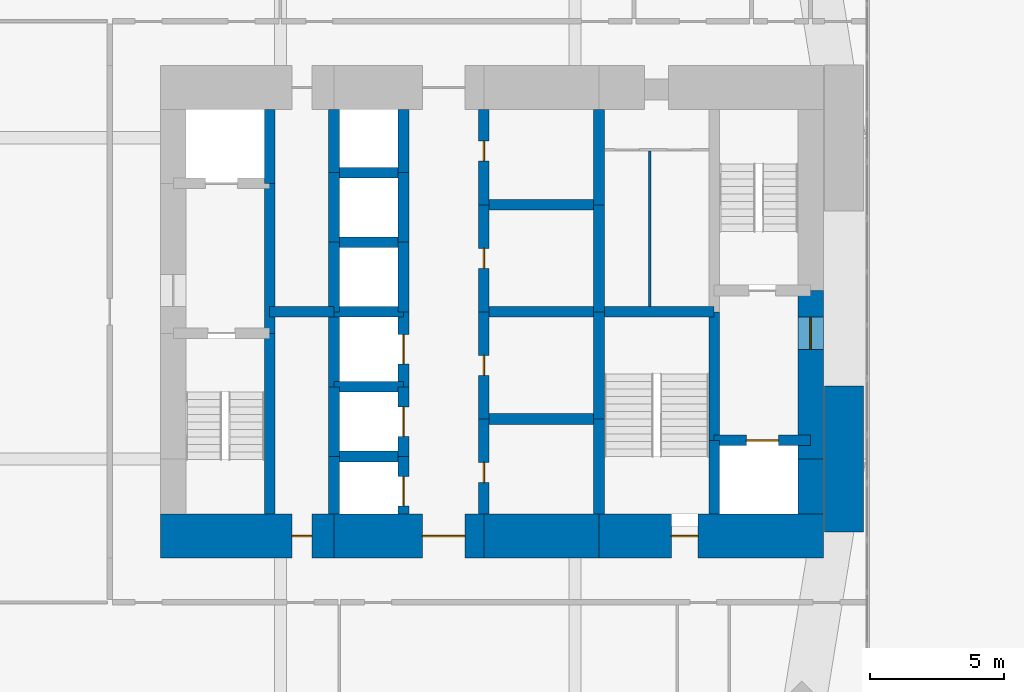
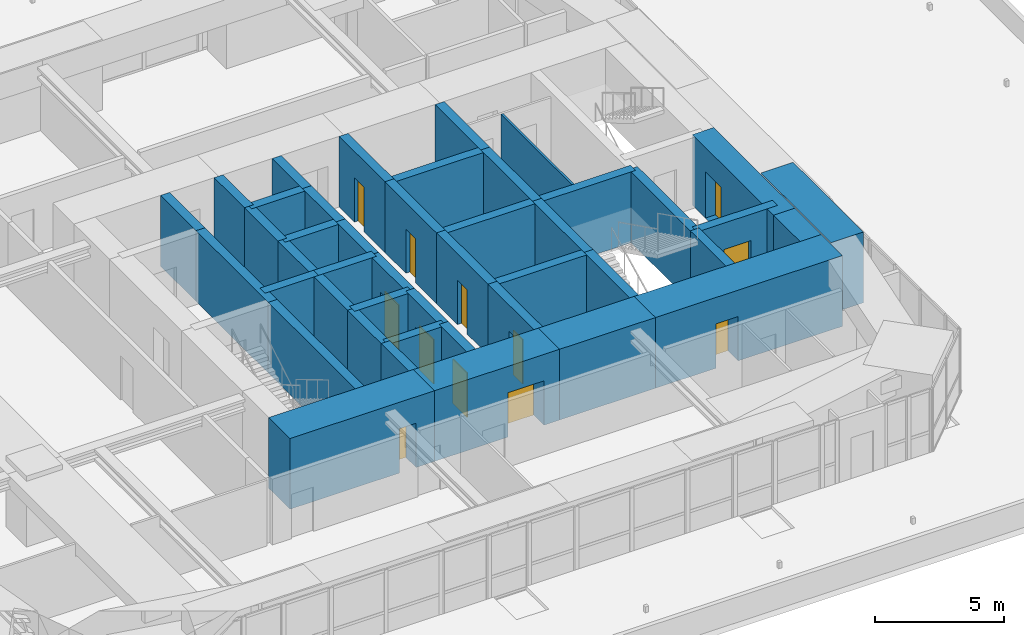
# One storey, part 14 of 20: 44 walls, 12 doors, 12 openings.
"""IFC4 building model written with IfcOpenShell, lengths in metres."""

from ifc_helpers import new_model, si_unit, direction, frame, frame_2d, origin, place, context, subcontext, project, spatial, rectangle, extrude, material, layer, layer_set, constituent, constituent_set, type_object, element, fill, save


model = new_model("IFC4")

# Units and contexts
model_context = context("Model", 3, precision=1e-05, world=origin(), true_north=direction((0.0, 1.0)))
body_context = subcontext(model_context, "Body", "Model", "MODEL_VIEW")
ifc_project = project(units=[si_unit("LENGTHUNIT", "METRE"), si_unit("AREAUNIT", "SQUARE_METRE"), si_unit("VOLUMEUNIT", "CUBIC_METRE"), si_unit("PLANEANGLEUNIT", "RADIAN"), si_unit("MASSUNIT", "GRAM", prefix="KILO")], contexts=[model_context])

# Site, building, storey
site_placement = place(None, origin())
site = spatial("IfcSite", under=ifc_project, at=site_placement, CompositionType="ELEMENT")
building_placement = place(site_placement, origin())
building = spatial("IfcBuilding", under=site, at=building_placement, Name="Jalousie Tower", CompositionType="ELEMENT")
storey_placement = place(building_placement, frame((0.0, 0.0, 21.0)))
storey = spatial("IfcBuildingStorey", under=building, at=storey_placement, Name="L04", CompositionType="ELEMENT", Elevation=21.0)

# Wall, opening, door
ifc_material_1 = material(Name="Concrete f'c 120 MPa", Category="concrete")
ifc_layer_1 = layer(ifc_material_1, 1.64990234375)
ifc_layer_set_1 = layer_set([ifc_layer_1], Name="Concrete f'c 120 MPa")
wall_type_1 = type_object("IfcWallType", Name="CORE WALL 1650", PredefinedType="SHEAR", material=ifc_layer_set_1)
wall_1_placement = place(storey_placement, frame((19.52490234375, 10.125, 0.0), z_axis=(0.0, 0.0, 1.0), x_axis=(1.0, 0.0, 0.0)))
wall_1 = element("IfcWall", 1, at=wall_1_placement, inside=storey, type_object=wall_type_1, Name="Core wall SA L04", PredefinedType="SHEAR", context=body_context, shape_type="SweptSolid", body=[
    extrude(rectangle(XDim=6.47509765625, YDim=1.64990234375, at=frame_2d((3.237548828125, 0.0))), origin(), (0.0, 0.0, 1.0), 3.35009765625),
])
opening_1_placement = place(wall_1_placement, frame((4.89990234375, 0.0, 0.0)))
opening_1 = element("IfcOpeningElement", 2, at=opening_1_placement, cuts=wall_1, Name="Opening D16", PredefinedType="OPENING", context=body_context, shape_type="SweptSolid", body=[
    extrude(rectangle(XDim=0.75, YDim=2.10009765625, at=frame_2d((0.375, 1.050048828125))), frame((0.0, 0.8349609375, 0.0), z_axis=(0.0, -1.0, 0.0), x_axis=(1.0, 0.0, 0.0)), (0.0, 0.0, 1.0), 1.669921875),
])
ifc_material_2 = material(Name="Steel fire door", Category="steel")
door_type_1 = type_object("IfcDoorType", Name="RISER DOOR 750", OperationType="SINGLE_SWING_LEFT", PredefinedType="DOOR", material=ifc_material_2)
door_1_placement = place(opening_1_placement, origin())
door_1 = element("IfcDoor", 3, at=door_1_placement, inside=storey, type_object=door_type_1, Name="South riser door", OperationType="SINGLE_SWING_LEFT", OverallHeight=2.10009765625, OverallWidth=0.75, PredefinedType="DOOR", context=body_context, shape_type="SweptSolid", body=[
    extrude(rectangle(XDim=0.75, YDim=2.10009765625, at=frame_2d((0.375, 1.050048828125))), frame((0.0, 0.02490234375, 0.0), z_axis=(0.0, -1.0, 0.0), x_axis=(1.0, 0.0, 0.0)), (0.0, 0.0, 1.0), 0.050048828125),
])
fill(opening_1, door_1)

wall_2_placement = place(storey_placement, frame((26.0, 10.125, 0.0), z_axis=(0.0, 0.0, 1.0), x_axis=(1.0, 0.0, 0.0)))
wall_2 = element("IfcWall", 4, at=wall_2_placement, inside=storey, type_object=wall_type_1, Name="Core wall SB L04", PredefinedType="SHEAR", context=body_context, shape_type="SweptSolid", body=[
    extrude(rectangle(XDim=5.60009765625, YDim=1.64990234375, at=frame_2d((2.800048828125, 0.0))), origin(), (0.0, 0.0, 1.0), 3.35009765625),
])
opening_2_placement = place(wall_2_placement, frame((3.300048828125, 0.0, 0.0)))
opening_2 = element("IfcOpeningElement", 5, at=opening_2_placement, cuts=wall_2, Name="Opening D15", PredefinedType="OPENING", context=body_context, shape_type="SweptSolid", body=[
    extrude(rectangle(XDim=1.60009765625, YDim=2.10009765625, at=frame_2d((0.800048828125, 1.050048828125))), frame((0.0, 0.8349609375, 0.0), z_axis=(0.0, -1.0, 0.0), x_axis=(1.0, 0.0, 0.0)), (0.0, 0.0, 1.0), 1.669921875),
])
ifc_material_3 = material(Name="Steel fire door", Category="steel")
door_type_2 = type_object("IfcDoorType", Name="LIFT LOBBY DOOR 1600", OperationType="DOUBLE_DOOR_SINGLE_SWING", PredefinedType="DOOR", material=ifc_material_3)
door_2_placement = place(opening_2_placement, origin())
door_2 = element("IfcDoor", 6, at=door_2_placement, inside=storey, type_object=door_type_2, Name="Lift lobby south door", OperationType="DOUBLE_DOOR_SINGLE_SWING", OverallHeight=2.10009765625, OverallWidth=1.60009765625, PredefinedType="DOOR", context=body_context, shape_type="SweptSolid", body=[
    extrude(rectangle(XDim=1.60009765625, YDim=2.10009765625, at=frame_2d((0.800048828125, 1.050048828125))), frame((0.0, 0.02490234375, 0.0), z_axis=(0.0, -1.0, 0.0), x_axis=(1.0, 0.0, 0.0)), (0.0, 0.0, 1.0), 0.050048828125),
])
fill(opening_2, door_2)

# Wall
wall_3_placement = place(storey_placement, frame((31.60009765625, 10.125, 0.0), z_axis=(0.0, 0.0, 1.0), x_axis=(1.0, 0.0, 0.0)))
element("IfcWall", 7, at=wall_3_placement, inside=storey, type_object=wall_type_1, Name="Core wall SC L04", PredefinedType="SHEAR", context=body_context, shape_type="SweptSolid", body=[
    extrude(rectangle(XDim=4.2998046875, YDim=1.64990234375, at=frame_2d((2.14990234375, 0.0))), origin(), (0.0, 0.0, 1.0), 3.35009765625),
])

# Wall, opening, door
wall_4_placement = place(storey_placement, frame((35.89990234375, 10.125, 0.0), z_axis=(0.0, 0.0, 1.0), x_axis=(1.0, 0.0, 0.0)))
wall_4 = element("IfcWall", 8, at=wall_4_placement, inside=storey, type_object=wall_type_1, Name="Core wall SD L04", PredefinedType="SHEAR", context=body_context, shape_type="SweptSolid", body=[
    extrude(rectangle(XDim=8.375, YDim=1.64990234375, at=frame_2d((4.1875, 0.0))), origin(), (0.0, 0.0, 1.0), 3.35009765625),
])
opening_3_placement = place(wall_4_placement, frame((2.699951171875, 0.0, 0.0)))
opening_3 = element("IfcOpeningElement", 9, at=opening_3_placement, cuts=wall_4, Name="Opening D10", PredefinedType="OPENING", context=body_context, shape_type="SweptSolid", body=[
    extrude(rectangle(XDim=1.0, YDim=2.10009765625, at=frame_2d((0.5, 1.050048828125))), frame((0.0, 0.8349609375, 0.0), z_axis=(0.0, -1.0, 0.0), x_axis=(1.0, 0.0, 0.0)), (0.0, 0.0, 1.0), 1.669921875),
])
ifc_material_4 = material(Name="Steel fire door", Category="steel")
door_type_3 = type_object("IfcDoorType", Name="STAIR DOOR 1000", OperationType="SINGLE_SWING_LEFT", PredefinedType="DOOR", material=ifc_material_4)
door_3_placement = place(opening_3_placement, origin())
door_3 = element("IfcDoor", 10, at=door_3_placement, inside=storey, type_object=door_type_3, Name="Exit stair C door", OperationType="SINGLE_SWING_RIGHT", OverallHeight=2.10009765625, OverallWidth=1.0, PredefinedType="DOOR", context=body_context, shape_type="SweptSolid", body=[
    extrude(rectangle(XDim=1.0, YDim=2.10009765625, at=frame_2d((0.5, 1.050048828125))), frame((0.0, 0.02490234375, 0.0), z_axis=(0.0, -1.0, 0.0), x_axis=(1.0, 0.0, 0.0)), (0.0, 0.0, 1.0), 0.050048828125),
])
fill(opening_3, door_3)

# Walls
ifc_material_5 = material(Name="Concrete f'c 120 MPa", Category="concrete")
ifc_layer_2 = layer(ifc_material_5, 0.39990234375)
ifc_layer_set_2 = layer_set([ifc_layer_2], Name="Concrete f'c 120 MPa")
wall_type_2 = type_object("IfcWallType", Name="CORE WALL 400", PredefinedType="SHEAR", material=ifc_layer_set_2)
wall_5_placement = place(storey_placement, frame((23.60009765625, 10.949951171875, 0.0), z_axis=(0.0, 0.0, 1.0), x_axis=(0.0, 1.0, 0.0)))
element("IfcWall", 11, at=wall_5_placement, inside=storey, type_object=wall_type_2, Name="Core wall X23.6A L04", PredefinedType="SHEAR", context=body_context, shape_type="SweptSolid", body=[
    extrude(rectangle(XDim=6.75, YDim=0.39990234375, at=frame_2d((3.375, 0.0))), origin(), (0.0, 0.0, 1.0), 3.35009765625),
])
wall_6_placement = place(storey_placement, frame((23.60009765625, 17.699951171875, 0.0), z_axis=(0.0, 0.0, 1.0), x_axis=(0.0, 1.0, 0.0)))
element("IfcWall", 12, at=wall_6_placement, inside=storey, type_object=wall_type_2, Name="Core wall X23.6B L04", PredefinedType="SHEAR", context=body_context, shape_type="SweptSolid", body=[
    extrude(rectangle(XDim=5.60009765625, YDim=0.39990234375, at=frame_2d((2.800048828125, 0.0))), origin(), (0.0, 0.0, 1.0), 3.35009765625),
])
wall_7_placement = place(storey_placement, frame((23.60009765625, 23.300048828125, 0.0), z_axis=(0.0, 0.0, 1.0), x_axis=(0.0, 1.0, 0.0)))
element("IfcWall", 13, at=wall_7_placement, inside=storey, type_object=wall_type_2, Name="Core wall X23.6C L04", PredefinedType="SHEAR", context=body_context, shape_type="SweptSolid", body=[
    extrude(rectangle(XDim=2.75, YDim=0.39990234375, at=frame_2d((1.375, 0.0))), origin(), (0.0, 0.0, 1.0), 3.35009765625),
])
wall_8_placement = place(storey_placement, frame((26.0, 10.949951171875, 0.0), z_axis=(0.0, 0.0, 1.0), x_axis=(0.0, 1.0, 0.0)))
element("IfcWall", 14, at=wall_8_placement, inside=storey, type_object=wall_type_2, Name="Core wall X26A L04", PredefinedType="SHEAR", context=body_context, shape_type="SweptSolid", body=[
    extrude(rectangle(XDim=2.150146484375, YDim=0.39990234375, at=frame_2d((1.0751953125, 0.0))), origin(), (0.0, 0.0, 1.0), 3.35009765625),
])
wall_9_placement = place(storey_placement, frame((26.0, 13.10009765625, 0.0), z_axis=(0.0, 0.0, 1.0), x_axis=(0.0, 1.0, 0.0)))
element("IfcWall", 15, at=wall_9_placement, inside=storey, type_object=wall_type_2, Name="Core wall X26B L04", PredefinedType="SHEAR", context=body_context, shape_type="SweptSolid", body=[
    extrude(rectangle(XDim=2.599853515625, YDim=0.39990234375, at=frame_2d((1.2998046875, 0.0))), origin(), (0.0, 0.0, 1.0), 3.35009765625),
])
wall_10_placement = place(storey_placement, frame((26.0, 15.699951171875, 0.0), z_axis=(0.0, 0.0, 1.0), x_axis=(0.0, 1.0, 0.0)))
element("IfcWall", 16, at=wall_10_placement, inside=storey, type_object=wall_type_2, Name="Core wall X26C L04", PredefinedType="SHEAR", context=body_context, shape_type="SweptSolid", body=[
    extrude(rectangle(XDim=2.800048828125, YDim=0.39990234375, at=frame_2d((1.39990234375, 0.0))), origin(), (0.0, 0.0, 1.0), 3.35009765625),
])
wall_11_placement = place(storey_placement, frame((26.0, 18.5, 0.0), z_axis=(0.0, 0.0, 1.0), x_axis=(0.0, 1.0, 0.0)))
element("IfcWall", 17, at=wall_11_placement, inside=storey, type_object=wall_type_2, Name="Core wall X26D L04", PredefinedType="SHEAR", context=body_context, shape_type="SweptSolid", body=[
    extrude(rectangle(XDim=2.60009765625, YDim=0.39990234375, at=frame_2d((1.300048828125, 0.0))), origin(), (0.0, 0.0, 1.0), 3.35009765625),
])
wall_12_placement = place(storey_placement, frame((26.0, 21.10009765625, 0.0), z_axis=(0.0, 0.0, 1.0), x_axis=(0.0, 1.0, 0.0)))
element("IfcWall", 18, at=wall_12_placement, inside=storey, type_object=wall_type_2, Name="Core wall X26E L04", PredefinedType="SHEAR", context=body_context, shape_type="SweptSolid", body=[
    extrude(rectangle(XDim=2.599853515625, YDim=0.39990234375, at=frame_2d((1.2998046875, 0.0))), origin(), (0.0, 0.0, 1.0), 3.35009765625),
])
wall_13_placement = place(storey_placement, frame((26.0, 23.699951171875, 0.0), z_axis=(0.0, 0.0, 1.0), x_axis=(0.0, 1.0, 0.0)))
element("IfcWall", 19, at=wall_13_placement, inside=storey, type_object=wall_type_2, Name="Core wall X26F L04", PredefinedType="SHEAR", context=body_context, shape_type="SweptSolid", body=[
    extrude(rectangle(XDim=2.35009765625, YDim=0.39990234375, at=frame_2d((1.175048828125, 0.0))), origin(), (0.0, 0.0, 1.0), 3.35009765625),
])

# Wall, opening, door
wall_14_placement = place(storey_placement, frame((28.60009765625, 10.949951171875, 0.0), z_axis=(0.0, 0.0, 1.0), x_axis=(0.0, 1.0, 0.0)))
wall_14 = element("IfcWall", 20, at=wall_14_placement, inside=storey, type_object=wall_type_2, Name="Core wall X28.6A L04", PredefinedType="SHEAR", context=body_context, shape_type="SweptSolid", body=[
    extrude(rectangle(XDim=2.150146484375, YDim=0.39990234375, at=frame_2d((1.0751953125, 0.0))), origin(), (0.0, 0.0, 1.0), 3.35009765625),
])
opening_4_placement = place(wall_14_placement, frame((0.300048828125, 0.0, 0.0)))
opening_4 = element("IfcOpeningElement", 21, at=opening_4_placement, cuts=wall_14, Name="Opening LD1", PredefinedType="OPENING", context=body_context, shape_type="SweptSolid", body=[
    extrude(rectangle(XDim=1.10009765625, YDim=2.10009765625, at=frame_2d((0.550048828125, 1.050048828125))), frame((0.0, 0.2099609375, 0.0), z_axis=(0.0, -1.0, 0.0), x_axis=(1.0, 0.0, 0.0)), (0.0, 0.0, 1.0), 0.419921875),
])
ifc_material_6 = material(Name="Steel lift landing door", Category="steel")
door_type_4 = type_object("IfcDoorType", Name="LIFT LANDING DOOR 1100", OperationType="SLIDING_TO_LEFT", PredefinedType="DOOR", material=ifc_material_6)
door_4_placement = place(opening_4_placement, origin())
door_4 = element("IfcDoor", 22, at=door_4_placement, inside=storey, type_object=door_type_4, Name="Lift P1 landing door", OperationType="SLIDING_TO_LEFT", OverallHeight=2.10009765625, OverallWidth=1.10009765625, PredefinedType="DOOR", context=body_context, shape_type="SweptSolid", body=[
    extrude(rectangle(XDim=1.10009765625, YDim=2.10009765625, at=frame_2d((0.550048828125, 1.050048828125))), frame((0.0, 0.02490234375, 0.0), z_axis=(0.0, -1.0, 0.0), x_axis=(1.0, 0.0, 0.0)), (0.0, 0.0, 1.0), 0.050048828125),
])
fill(opening_4, door_4)

wall_15_placement = place(storey_placement, frame((28.60009765625, 13.10009765625, 0.0), z_axis=(0.0, 0.0, 1.0), x_axis=(0.0, 1.0, 0.0)))
wall_15 = element("IfcWall", 23, at=wall_15_placement, inside=storey, type_object=wall_type_2, Name="Core wall X28.6B L04", PredefinedType="SHEAR", context=body_context, shape_type="SweptSolid", body=[
    extrude(rectangle(XDim=2.599853515625, YDim=0.39990234375, at=frame_2d((1.2998046875, 0.0))), origin(), (0.0, 0.0, 1.0), 3.35009765625),
])
opening_5_placement = place(wall_15_placement, frame((0.75, 0.0, 0.0)))
opening_5 = element("IfcOpeningElement", 24, at=opening_5_placement, cuts=wall_15, Name="Opening LD1", PredefinedType="OPENING", context=body_context, shape_type="SweptSolid", body=[
    extrude(rectangle(XDim=1.10009765625, YDim=2.10009765625, at=frame_2d((0.550048828125, 1.050048828125))), frame((0.0, 0.2099609375, 0.0), z_axis=(0.0, -1.0, 0.0), x_axis=(1.0, 0.0, 0.0)), (0.0, 0.0, 1.0), 0.419921875),
])
door_5_placement = place(opening_5_placement, origin())
door_5 = element("IfcDoor", 25, at=door_5_placement, inside=storey, type_object=door_type_4, Name="Lift P2 landing door", OperationType="SLIDING_TO_LEFT", OverallHeight=2.10009765625, OverallWidth=1.10009765625, PredefinedType="DOOR", context=body_context, shape_type="SweptSolid", body=[
    extrude(rectangle(XDim=1.10009765625, YDim=2.10009765625, at=frame_2d((0.550048828125, 1.050048828125))), frame((0.0, 0.02490234375, 0.0), z_axis=(0.0, -1.0, 0.0), x_axis=(1.0, 0.0, 0.0)), (0.0, 0.0, 1.0), 0.050048828125),
])
fill(opening_5, door_5)

wall_16_placement = place(storey_placement, frame((28.60009765625, 15.699951171875, 0.0), z_axis=(0.0, 0.0, 1.0), x_axis=(0.0, 1.0, 0.0)))
wall_16 = element("IfcWall", 26, at=wall_16_placement, inside=storey, type_object=wall_type_2, Name="Core wall X28.6C L04", PredefinedType="SHEAR", context=body_context, shape_type="SweptSolid", body=[
    extrude(rectangle(XDim=2.800048828125, YDim=0.39990234375, at=frame_2d((1.39990234375, 0.0))), origin(), (0.0, 0.0, 1.0), 3.35009765625),
])
opening_6_placement = place(wall_16_placement, frame((0.85009765625, 0.0, 0.0)))
opening_6 = element("IfcOpeningElement", 27, at=opening_6_placement, cuts=wall_16, Name="Opening LD1", PredefinedType="OPENING", context=body_context, shape_type="SweptSolid", body=[
    extrude(rectangle(XDim=1.10009765625, YDim=2.10009765625, at=frame_2d((0.550048828125, 1.050048828125))), frame((0.0, 0.2099609375, 0.0), z_axis=(0.0, -1.0, 0.0), x_axis=(1.0, 0.0, 0.0)), (0.0, 0.0, 1.0), 0.419921875),
])
door_6_placement = place(opening_6_placement, origin())
door_6 = element("IfcDoor", 28, at=door_6_placement, inside=storey, type_object=door_type_4, Name="Lift P3 landing door", OperationType="SLIDING_TO_LEFT", OverallHeight=2.10009765625, OverallWidth=1.10009765625, PredefinedType="DOOR", context=body_context, shape_type="SweptSolid", body=[
    extrude(rectangle(XDim=1.10009765625, YDim=2.10009765625, at=frame_2d((0.550048828125, 1.050048828125))), frame((0.0, 0.02490234375, 0.0), z_axis=(0.0, -1.0, 0.0), x_axis=(1.0, 0.0, 0.0)), (0.0, 0.0, 1.0), 0.050048828125),
])
fill(opening_6, door_6)

# Walls
wall_17_placement = place(storey_placement, frame((28.60009765625, 18.5, 0.0), z_axis=(0.0, 0.0, 1.0), x_axis=(0.0, 1.0, 0.0)))
element("IfcWall", 29, at=wall_17_placement, inside=storey, type_object=wall_type_2, Name="Core wall X28.6D L04", PredefinedType="SHEAR", context=body_context, shape_type="SweptSolid", body=[
    extrude(rectangle(XDim=2.60009765625, YDim=0.39990234375, at=frame_2d((1.300048828125, 0.0))), origin(), (0.0, 0.0, 1.0), 3.35009765625),
])
wall_18_placement = place(storey_placement, frame((28.60009765625, 21.10009765625, 0.0), z_axis=(0.0, 0.0, 1.0), x_axis=(0.0, 1.0, 0.0)))
element("IfcWall", 30, at=wall_18_placement, inside=storey, type_object=wall_type_2, Name="Core wall X28.6E L04", PredefinedType="SHEAR", context=body_context, shape_type="SweptSolid", body=[
    extrude(rectangle(XDim=2.599853515625, YDim=0.39990234375, at=frame_2d((1.2998046875, 0.0))), origin(), (0.0, 0.0, 1.0), 3.35009765625),
])
wall_19_placement = place(storey_placement, frame((28.60009765625, 23.699951171875, 0.0), z_axis=(0.0, 0.0, 1.0), x_axis=(0.0, 1.0, 0.0)))
element("IfcWall", 31, at=wall_19_placement, inside=storey, type_object=wall_type_2, Name="Core wall X28.6F L04", PredefinedType="SHEAR", context=body_context, shape_type="SweptSolid", body=[
    extrude(rectangle(XDim=2.35009765625, YDim=0.39990234375, at=frame_2d((1.175048828125, 0.0))), origin(), (0.0, 0.0, 1.0), 3.35009765625),
])

# Wall, opening, door
wall_20_placement = place(storey_placement, frame((31.60009765625, 10.949951171875, 0.0), z_axis=(0.0, 0.0, 1.0), x_axis=(0.0, 1.0, 0.0)))
wall_20 = element("IfcWall", 32, at=wall_20_placement, inside=storey, type_object=wall_type_2, Name="Core wall X31.6A L04", PredefinedType="SHEAR", context=body_context, shape_type="SweptSolid", body=[
    extrude(rectangle(XDim=3.550048828125, YDim=0.39990234375, at=frame_2d((1.77490234375, 0.0))), origin(), (0.0, 0.0, 1.0), 3.35009765625),
])
opening_7_placement = place(wall_20_placement, frame((1.175048828125, 0.0, 0.0)))
opening_7 = element("IfcOpeningElement", 33, at=opening_7_placement, cuts=wall_20, Name="Opening D16", PredefinedType="OPENING", context=body_context, shape_type="SweptSolid", body=[
    extrude(rectangle(XDim=0.75, YDim=2.10009765625, at=frame_2d((0.375, 1.050048828125))), frame((0.0, 0.2099609375, 0.0), z_axis=(0.0, -1.0, 0.0), x_axis=(1.0, 0.0, 0.0)), (0.0, 0.0, 1.0), 0.419921875),
])
door_7_placement = place(opening_7_placement, frame((0.75, 0.0, 0.0), z_axis=(0.0, 0.0, 1.0), x_axis=(-1.0, 0.0, 0.0)))
door_7 = element("IfcDoor", 34, at=door_7_placement, inside=storey, type_object=door_type_1, Name="Refuse Room door", OperationType="SINGLE_SWING_RIGHT", OverallHeight=2.10009765625, OverallWidth=0.75, PredefinedType="DOOR", context=body_context, shape_type="SweptSolid", body=[
    extrude(rectangle(XDim=0.75, YDim=2.10009765625, at=frame_2d((0.375, 1.050048828125))), frame((0.0, 0.02490234375, 0.0), z_axis=(0.0, -1.0, 0.0), x_axis=(1.0, 0.0, 0.0)), (0.0, 0.0, 1.0), 0.050048828125),
])
fill(opening_7, door_7)

wall_21_placement = place(storey_placement, frame((31.60009765625, 14.5, 0.0), z_axis=(0.0, 0.0, 1.0), x_axis=(0.0, 1.0, 0.0)))
wall_21 = element("IfcWall", 35, at=wall_21_placement, inside=storey, type_object=wall_type_2, Name="Core wall X31.6B L04", PredefinedType="SHEAR", context=body_context, shape_type="SweptSolid", body=[
    extrude(rectangle(XDim=4.0, YDim=0.39990234375, at=frame_2d((2.0, 0.0))), origin(), (0.0, 0.0, 1.0), 3.35009765625),
])
opening_8_placement = place(wall_21_placement, frame((1.625, 0.0, 0.0)))
opening_8 = element("IfcOpeningElement", 36, at=opening_8_placement, cuts=wall_21, Name="Opening D16", PredefinedType="OPENING", context=body_context, shape_type="SweptSolid", body=[
    extrude(rectangle(XDim=0.75, YDim=2.10009765625, at=frame_2d((0.375, 1.050048828125))), frame((0.0, 0.2099609375, 0.0), z_axis=(0.0, -1.0, 0.0), x_axis=(1.0, 0.0, 0.0)), (0.0, 0.0, 1.0), 0.419921875),
])
door_8_placement = place(opening_8_placement, frame((0.75, 0.0, 0.0), z_axis=(0.0, 0.0, 1.0), x_axis=(-1.0, 0.0, 0.0)))
door_8 = element("IfcDoor", 37, at=door_8_placement, inside=storey, type_object=door_type_1, Name="Electrical Room door", OperationType="SINGLE_SWING_LEFT", OverallHeight=2.10009765625, OverallWidth=0.75, PredefinedType="DOOR", context=body_context, shape_type="SweptSolid", body=[
    extrude(rectangle(XDim=0.75, YDim=2.10009765625, at=frame_2d((0.375, 1.050048828125))), frame((0.0, 0.02490234375, 0.0), z_axis=(0.0, -1.0, 0.0), x_axis=(1.0, 0.0, 0.0)), (0.0, 0.0, 1.0), 0.050048828125),
])
fill(opening_8, door_8)

wall_22_placement = place(storey_placement, frame((31.60009765625, 18.5, 0.0), z_axis=(0.0, 0.0, 1.0), x_axis=(0.0, 1.0, 0.0)))
wall_22 = element("IfcWall", 38, at=wall_22_placement, inside=storey, type_object=wall_type_2, Name="Core wall X31.6C L04", PredefinedType="SHEAR", context=body_context, shape_type="SweptSolid", body=[
    extrude(rectangle(XDim=4.0, YDim=0.39990234375, at=frame_2d((2.0, 0.0))), origin(), (0.0, 0.0, 1.0), 3.35009765625),
])
opening_9_placement = place(wall_22_placement, frame((1.625, 0.0, 0.0)))
opening_9 = element("IfcOpeningElement", 39, at=opening_9_placement, cuts=wall_22, Name="Opening D16", PredefinedType="OPENING", context=body_context, shape_type="SweptSolid", body=[
    extrude(rectangle(XDim=0.75, YDim=2.10009765625, at=frame_2d((0.375, 1.050048828125))), frame((0.0, 0.2099609375, 0.0), z_axis=(0.0, -1.0, 0.0), x_axis=(1.0, 0.0, 0.0)), (0.0, 0.0, 1.0), 0.419921875),
])
door_9_placement = place(opening_9_placement, frame((0.75, 0.0, 0.0), z_axis=(0.0, 0.0, 1.0), x_axis=(-1.0, 0.0, 0.0)))
door_9 = element("IfcDoor", 40, at=door_9_placement, inside=storey, type_object=door_type_1, Name="Telecom Room door", OperationType="SINGLE_SWING_LEFT", OverallHeight=2.10009765625, OverallWidth=0.75, PredefinedType="DOOR", context=body_context, shape_type="SweptSolid", body=[
    extrude(rectangle(XDim=0.75, YDim=2.10009765625, at=frame_2d((0.375, 1.050048828125))), frame((0.0, 0.02490234375, 0.0), z_axis=(0.0, -1.0, 0.0), x_axis=(1.0, 0.0, 0.0)), (0.0, 0.0, 1.0), 0.050048828125),
])
fill(opening_9, door_9)

wall_23_placement = place(storey_placement, frame((31.60009765625, 22.5, 0.0), z_axis=(0.0, 0.0, 1.0), x_axis=(0.0, 1.0, 0.0)))
wall_23 = element("IfcWall", 41, at=wall_23_placement, inside=storey, type_object=wall_type_2, Name="Core wall X31.6D L04", PredefinedType="SHEAR", context=body_context, shape_type="SweptSolid", body=[
    extrude(rectangle(XDim=3.550048828125, YDim=0.39990234375, at=frame_2d((1.77490234375, 0.0))), origin(), (0.0, 0.0, 1.0), 3.35009765625),
])
opening_10_placement = place(wall_23_placement, frame((1.625, 0.0, 0.0)))
opening_10 = element("IfcOpeningElement", 42, at=opening_10_placement, cuts=wall_23, Name="Opening D16", PredefinedType="OPENING", context=body_context, shape_type="SweptSolid", body=[
    extrude(rectangle(XDim=0.75, YDim=2.10009765625, at=frame_2d((0.375, 1.050048828125))), frame((0.0, 0.2099609375, 0.0), z_axis=(0.0, -1.0, 0.0), x_axis=(1.0, 0.0, 0.0)), (0.0, 0.0, 1.0), 0.419921875),
])
door_10_placement = place(opening_10_placement, frame((0.75, 0.0, 0.0), z_axis=(0.0, 0.0, 1.0), x_axis=(-1.0, 0.0, 0.0)))
door_10 = element("IfcDoor", 43, at=door_10_placement, inside=storey, type_object=door_type_1, Name="Water Services Room door", OperationType="SINGLE_SWING_LEFT", OverallHeight=2.10009765625, OverallWidth=0.75, PredefinedType="DOOR", context=body_context, shape_type="SweptSolid", body=[
    extrude(rectangle(XDim=0.75, YDim=2.10009765625, at=frame_2d((0.375, 1.050048828125))), frame((0.0, 0.02490234375, 0.0), z_axis=(0.0, -1.0, 0.0), x_axis=(1.0, 0.0, 0.0)), (0.0, 0.0, 1.0), 0.050048828125),
])
fill(opening_10, door_10)

# Walls
wall_24_placement = place(storey_placement, frame((35.89990234375, 10.949951171875, 0.0), z_axis=(0.0, 0.0, 1.0), x_axis=(0.0, 1.0, 0.0)))
element("IfcWall", 44, at=wall_24_placement, inside=storey, type_object=wall_type_2, Name="Core wall X35.9A L04", PredefinedType="SHEAR", context=body_context, shape_type="SweptSolid", body=[
    extrude(rectangle(XDim=3.550048828125, YDim=0.39990234375, at=frame_2d((1.77490234375, 0.0))), origin(), (0.0, 0.0, 1.0), 3.35009765625),
])
for number, where, z_axis, x_axis, name in (
    (45, (35.89990234375, 14.5, 0.0), (0.0, 0.0, 1.0), (0.0, 1.0, 0.0), "Core wall X35.9B L04"),
    (46, (35.89990234375, 18.5, 0.0), (0.0, 0.0, 1.0), (0.0, 1.0, 0.0), "Core wall X35.9C L04"),
):
    element("IfcWall", number, at=place(storey_placement, frame(where, z_axis=z_axis, x_axis=x_axis)), inside=storey, type_object=wall_type_2, Name=name, PredefinedType="SHEAR", context=body_context, shape_type="SweptSolid", body=[
        extrude(rectangle(XDim=4.0, YDim=0.39990234375, at=frame_2d((2.0, 0.0))), origin(), (0.0, 0.0, 1.0), 3.35009765625),
    ])
wall_25_placement = place(storey_placement, frame((35.89990234375, 22.5, 0.0), z_axis=(0.0, 0.0, 1.0), x_axis=(0.0, 1.0, 0.0)))
element("IfcWall", 47, at=wall_25_placement, inside=storey, type_object=wall_type_2, Name="Core wall X35.9D L04", PredefinedType="SHEAR", context=body_context, shape_type="SweptSolid", body=[
    extrude(rectangle(XDim=3.550048828125, YDim=0.39990234375, at=frame_2d((1.77490234375, 0.0))), origin(), (0.0, 0.0, 1.0), 3.35009765625),
])
wall_26_placement = place(storey_placement, frame((40.199951171875, 10.949951171875, 0.0), z_axis=(0.0, 0.0, 1.0), x_axis=(0.0, 1.0, 0.0)))
element("IfcWall", 48, at=wall_26_placement, inside=storey, type_object=wall_type_2, Name="Core wall X40.2A L04", PredefinedType="SHEAR", context=body_context, shape_type="SweptSolid", body=[
    extrude(rectangle(XDim=2.75, YDim=0.39990234375, at=frame_2d((1.375, 0.0))), origin(), (0.0, 0.0, 1.0), 3.35009765625),
])
wall_27_placement = place(storey_placement, frame((40.199951171875, 13.699951171875, 0.0), z_axis=(0.0, 0.0, 1.0), x_axis=(0.0, 1.0, 0.0)))
element("IfcWall", 49, at=wall_27_placement, inside=storey, type_object=wall_type_2, Name="Core wall X40.2B L04", PredefinedType="SHEAR", context=body_context, shape_type="SweptSolid", body=[
    extrude(rectangle(XDim=4.800048828125, YDim=0.39990234375, at=frame_2d((2.39990234375, 0.0))), origin(), (0.0, 0.0, 1.0), 3.35009765625),
])
wall_28_placement = place(storey_placement, frame((23.60009765625, 18.5, 0.0), z_axis=(0.0, 0.0, 1.0), x_axis=(1.0, 0.0, 0.0)))
element("IfcWall", 50, at=wall_28_placement, inside=storey, type_object=wall_type_2, Name="Core wall Y23.6-18.5 L04", PredefinedType="SHEAR", context=body_context, shape_type="SweptSolid", body=[
    extrude(rectangle(XDim=2.39990234375, YDim=0.39990234375, at=frame_2d((1.199951171875, 0.0))), origin(), (0.0, 0.0, 1.0), 3.35009765625),
])
for number, where, z_axis, x_axis, name in (
    (51, (26.0, 13.10009765625, 0.0), (0.0, 0.0, 1.0), (1.0, 0.0, 0.0), "Core wall Y26-13.1 L04"),
    (52, (26.0, 15.699951171875, 0.0), (0.0, 0.0, 1.0), (1.0, 0.0, 0.0), "Core wall Y26-15.7 L04"),
    (53, (26.0, 18.5, 0.0), (0.0, 0.0, 1.0), (1.0, 0.0, 0.0), "Core wall Y26-18.5 L04"),
    (54, (26.0, 21.10009765625, 0.0), (0.0, 0.0, 1.0), (1.0, 0.0, 0.0), "Core wall Y26-21.1 L04"),
    (55, (26.0, 23.699951171875, 0.0), (0.0, 0.0, 1.0), (1.0, 0.0, 0.0), "Core wall Y26-23.7 L04"),
):
    element("IfcWall", number, at=place(storey_placement, frame(where, z_axis=z_axis, x_axis=x_axis)), inside=storey, type_object=wall_type_2, Name=name, PredefinedType="SHEAR", context=body_context, shape_type="SweptSolid", body=[
        extrude(rectangle(XDim=2.60009765625, YDim=0.39990234375, at=frame_2d((1.300048828125, 0.0))), origin(), (0.0, 0.0, 1.0), 3.35009765625),
    ])
for number, where, z_axis, x_axis, name in (
    (56, (31.60009765625, 14.5, 0.0), (0.0, 0.0, 1.0), (1.0, 0.0, 0.0), "Core wall Y31.6-14.5 L04"),
    (57, (31.60009765625, 18.5, 0.0), (0.0, 0.0, 1.0), (1.0, 0.0, 0.0), "Core wall Y31.6-18.5 L04"),
    (58, (31.60009765625, 22.5, 0.0), (0.0, 0.0, 1.0), (1.0, 0.0, 0.0), "Core wall Y31.6-22.5 L04"),
):
    element("IfcWall", number, at=place(storey_placement, frame(where, z_axis=z_axis, x_axis=x_axis)), inside=storey, type_object=wall_type_2, Name=name, PredefinedType="SHEAR", context=body_context, shape_type="SweptSolid", body=[
        extrude(rectangle(XDim=4.2998046875, YDim=0.39990234375, at=frame_2d((2.14990234375, 0.0))), origin(), (0.0, 0.0, 1.0), 3.35009765625),
    ])
wall_29_placement = place(storey_placement, frame((35.89990234375, 18.5, 0.0), z_axis=(0.0, 0.0, 1.0), x_axis=(1.0, 0.0, 0.0)))
element("IfcWall", 59, at=wall_29_placement, inside=storey, type_object=wall_type_2, Name="Core wall Y35.9-18.5 L04", PredefinedType="SHEAR", context=body_context, shape_type="SweptSolid", body=[
    extrude(rectangle(XDim=4.300048828125, YDim=0.39990234375, at=frame_2d((2.14990234375, 0.0))), origin(), (0.0, 0.0, 1.0), 3.35009765625),
])

# Wall, opening, door
wall_30_placement = place(storey_placement, frame((40.199951171875, 13.699951171875, 0.0), z_axis=(0.0, 0.0, 1.0), x_axis=(1.0, 0.0, 0.0)))
wall_30 = element("IfcWall", 60, at=wall_30_placement, inside=storey, type_object=wall_type_2, Name="Core wall Y40.2-13.7 L04", PredefinedType="SHEAR", context=body_context, shape_type="SweptSolid", body=[
    extrude(rectangle(XDim=3.60009765625, YDim=0.39990234375, at=frame_2d((1.800048828125, 0.0))), origin(), (0.0, 0.0, 1.0), 3.35009765625),
])
opening_11_placement = place(wall_30_placement, frame((1.199951171875, 0.0, 0.0)))
opening_11 = element("IfcOpeningElement", 61, at=opening_11_placement, cuts=wall_30, Name="Opening LD2", PredefinedType="OPENING", context=body_context, shape_type="SweptSolid", body=[
    extrude(rectangle(XDim=1.199951171875, YDim=2.10009765625, at=frame_2d((0.60009765625, 1.050048828125))), frame((0.0, 0.2099609375, 0.0), z_axis=(0.0, -1.0, 0.0), x_axis=(1.0, 0.0, 0.0)), (0.0, 0.0, 1.0), 0.419921875),
])
ifc_material_7 = material(Name="Steel lift landing door", Category="steel")
door_type_5 = type_object("IfcDoorType", Name="LIFT LANDING DOOR 1200", OperationType="SLIDING_TO_LEFT", PredefinedType="DOOR", material=ifc_material_7)
door_11_placement = place(opening_11_placement, origin())
door_11 = element("IfcDoor", 62, at=door_11_placement, inside=storey, type_object=door_type_5, Name="Lift F2 landing door", OperationType="SLIDING_TO_LEFT", OverallHeight=2.10009765625, OverallWidth=1.199951171875, PredefinedType="DOOR", context=body_context, shape_type="SweptSolid", body=[
    extrude(rectangle(XDim=1.199951171875, YDim=2.10009765625, at=frame_2d((0.60009765625, 1.050048828125))), frame((0.0, 0.02490234375, 0.0), z_axis=(0.0, -1.0, 0.0), x_axis=(1.0, 0.0, 0.0)), (0.0, 0.0, 1.0), 0.050048828125),
])
fill(opening_11, door_11)

# Wall
ifc_material_8 = material(Name="Concrete f'c 120 MPa", Category="concrete")
ifc_layer_3 = layer(ifc_material_8, 0.949951171875)
ifc_layer_set_3 = layer_set([ifc_layer_3], Name="Concrete f'c 120 MPa")
wall_type_3 = type_object("IfcWallType", Name="CORE WALL 950", PredefinedType="SHEAR", material=ifc_layer_set_3)
wall_31_placement = place(storey_placement, frame((43.800048828125, 10.949951171875, 0.0), z_axis=(0.0, 0.0, 1.0), x_axis=(0.0, 1.0, 0.0)))
element("IfcWall", 63, at=wall_31_placement, inside=storey, type_object=wall_type_3, Name="Core wall EA L04", PredefinedType="SHEAR", context=body_context, shape_type="SweptSolid", body=[
    extrude(rectangle(XDim=2.050048828125, YDim=0.949951171875, at=frame_2d((1.02490234375, 0.0))), origin(), (0.0, 0.0, 1.0), 3.35009765625),
])

# Wall, opening, door
wall_32_placement = place(storey_placement, frame((43.800048828125, 13.0, 0.0), z_axis=(0.0, 0.0, 1.0), x_axis=(0.0, 1.0, 0.0)))
wall_32 = element("IfcWall", 64, at=wall_32_placement, inside=storey, type_object=wall_type_3, Name="Core wall EB L04", PredefinedType="SHEAR", context=body_context, shape_type="SweptSolid", body=[
    extrude(rectangle(XDim=6.300048828125, YDim=0.949951171875, at=frame_2d((3.14990234375, 0.0))), origin(), (0.0, 0.0, 1.0), 3.35009765625),
])
opening_12_placement = place(wall_32_placement, frame((4.10009765625, 0.0, 0.0)))
opening_12 = element("IfcOpeningElement", 65, at=opening_12_placement, cuts=wall_32, Name="Opening D11", PredefinedType="OPENING", context=body_context, shape_type="SweptSolid", body=[
    extrude(rectangle(XDim=1.199951171875, YDim=2.199951171875, at=frame_2d((0.60009765625, 1.10009765625))), frame((0.0, 0.48486328125, 0.0), z_axis=(0.0, -1.0, 0.0), x_axis=(1.0, 0.0, 0.0)), (0.0, 0.0, 1.0), 0.969970703125),
])
ifc_material_9 = material(Name="Steel fire door", Category="steel")
door_type_6 = type_object("IfcDoorType", Name="FIRE DOOR 1200", OperationType="SINGLE_SWING_LEFT", PredefinedType="DOOR", material=ifc_material_9)
door_12_placement = place(opening_12_placement, origin())
door_12 = element("IfcDoor", 66, at=door_12_placement, inside=storey, type_object=door_type_6, Name="Fire-fighting lobby B door", OperationType="SINGLE_SWING_RIGHT", OverallHeight=2.199951171875, OverallWidth=1.199951171875, PredefinedType="DOOR", context=body_context, shape_type="SweptSolid", body=[
    extrude(rectangle(XDim=1.199951171875, YDim=2.199951171875, at=frame_2d((0.60009765625, 1.10009765625))), frame((0.0, 0.02490234375, 0.0), z_axis=(0.0, -1.0, 0.0), x_axis=(1.0, 0.0, 0.0)), (0.0, 0.0, 1.0), 0.050048828125),
])
fill(opening_12, door_12)

# Walls
ifc_material_10 = material(Name="Gypsum board", Category="gypsum")
ifc_constituent_1 = constituent(ifc_material_10, Name="Body")
ifc_material_11 = material(Name="Light-gauge steel studs ASTM A653 SS Grade 33", Category="steel")
ifc_constituent_2 = constituent(ifc_material_11, Name="Framing")
ifc_constituent_set = constituent_set(constituents=[ifc_constituent_1, ifc_constituent_2])
wall_type_4 = type_object("IfcWallType", Name="PARTITION 100", PredefinedType="PARTITIONING", material=ifc_constituent_set)
wall_33_placement = place(storey_placement, frame((37.800048828125, 18.699951171875, 0.0), z_axis=(0.0, 0.0, 1.0), x_axis=(0.0, 1.0, 0.0)))
element("IfcWall", 67, at=wall_33_placement, inside=storey, type_object=wall_type_4, Name="Partition 100 L04", PredefinedType="PARTITIONING", context=body_context, shape_type="SweptSolid", body=[
    extrude(rectangle(XDim=5.800048828125, YDim=0.10009765625, at=frame_2d((2.89990234375, 0.0))), origin(), (0.0, 0.0, 1.0), 3.110107421875),
])
ifc_material_12 = material(Name="Concrete f'c 120 MPa", Category="concrete")
ifc_layer_4 = layer(ifc_material_12, 1.449951171875)
ifc_layer_set_4 = layer_set([ifc_layer_4], Name="Concrete f'c 120 MPa")
wall_type_5 = type_object("IfcWallType", Name="RC WALL PIER 1450", PredefinedType="SHEAR", material=ifc_layer_set_4)
wall_34_placement = place(storey_placement, frame((45.050048828125, 10.27490234375, 0.0), z_axis=(0.0, 0.0, 1.0), x_axis=(0.0, 1.0, 0.0)))
element("IfcWall", 68, at=wall_34_placement, inside=storey, type_object=wall_type_5, Name="Wall pier 06 L04", PredefinedType="SHEAR", context=body_context, shape_type="SweptSolid", body=[
    extrude(rectangle(XDim=5.4501953125, YDim=1.449951171875, at=frame_2d((2.72509765625, 0.0))), origin(), (0.0, 0.0, 1.0), 3.35009765625),
])

save(model, "model.ifc")
